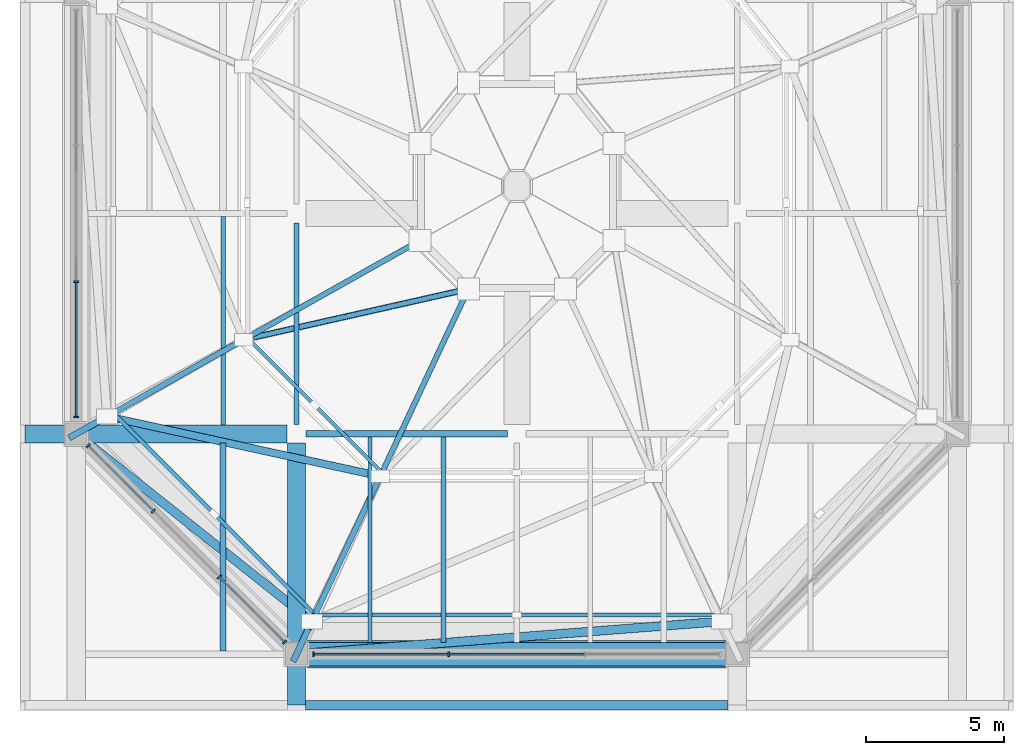
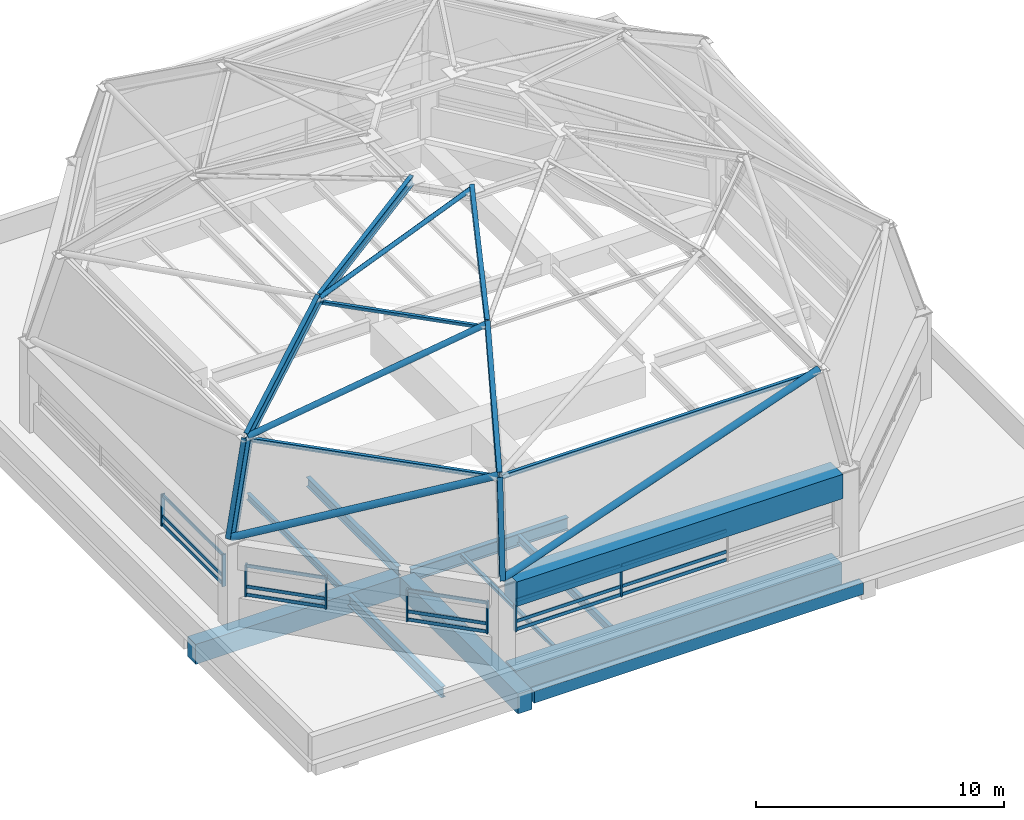
# One storey, part 2 of 10: 36 members, 11 beams, 3 elements without a shape of their own.
"""IFC4 building model written with IfcOpenShell, lengths in metres."""

from ifc_helpers import new_model, si_unit, direction, frame, origin, origin_2d, place, context, subcontext, project, spatial, rectangle, hollow_rectangle, hollow_circle, i_section, extrude, material, material_profile, profile_set, type_object, element, aggregate, save


model = new_model("IFC4")

# Units and contexts
model_context = context("Model", 3, precision=1e-05, world=origin(), true_north=direction((0.0, 1.0)))
body_context = subcontext(model_context, "Body", "Model", "MODEL_VIEW")
ifc_project = project(units=[si_unit("LENGTHUNIT", "METRE"), si_unit("AREAUNIT", "SQUARE_METRE"), si_unit("VOLUMEUNIT", "CUBIC_METRE"), si_unit("PLANEANGLEUNIT", "RADIAN"), si_unit("MASSUNIT", "GRAM", prefix="KILO")], contexts=[model_context])

# Site, building, storey
site_placement = place(None, origin())
site = spatial("IfcSite", under=ifc_project, at=site_placement, CompositionType="ELEMENT")
building_placement = place(site_placement, origin())
building = spatial("IfcBuilding", under=site, at=building_placement, Name="Pecanmere Concourse Central Library", CompositionType="ELEMENT")
storey_placement = place(building_placement, frame((0.0, 0.0, 34.800048828125)))
storey = spatial("IfcBuildingStorey", under=building, at=storey_placement, Name="ROOF", CompositionType="ELEMENT", Elevation=34.800048828125)

# Curtain wall, members
ifc_material_1 = material(Name="Anodized bronze aluminium alloy 6063-T6", Category="aluminium")
curtain_wall_type = type_object("IfcCurtainWallType", Name="CW_PORTAL_CLEAR", PredefinedType="USERDEFINED", material=ifc_material_1)
curtain_wall_1_placement = place(storey_placement, origin())
curtain_wall_1 = element("IfcCurtainWall", 1, at=curtain_wall_1_placement, inside=storey, type_object=curtain_wall_type, Name="Unitised Curtain Wall CW-03 ROOF-173", ObjectType="UNITISED CURTAIN WALL", PredefinedType="USERDEFINED")
ifc_material_2 = material(Name="Anodized bronze aluminium alloy 6063-T6", Category="aluminium")
ifc_material_profile_1 = material_profile(ifc_material_2, rectangle(XDim=0.06494140625, YDim=0.179931640625, at=origin_2d()), Name="AL 65x180")
ifc_profile_set_1 = profile_set([ifc_material_profile_1], Name="Anodized bronze aluminium alloy 6063-T6")
member_type_1 = type_object("IfcMemberType", Name="CWM_180x65", PredefinedType="MULLION", material=ifc_profile_set_1)
member_1_placement = place(storey_placement, frame((80.612548828125, 90.0, 1.419921875), z_axis=(0.0, 0.0, 1.0), x_axis=(1.0, 0.0, 0.0)))
member_1 = element("IfcMember", 2, at=member_1_placement, type_object=member_type_1, Name="CW-03 Mullion 1", PredefinedType="MULLION", context=body_context, shape_type="SweptSolid", body=[
    extrude(rectangle(XDim=0.06494140625, YDim=0.179931640625, at=origin_2d()), origin(), (0.0, 0.0, 1.0), 1.580078125),
])
member_2_placement = place(storey_placement, frame((85.526611328125, 90.0, 1.419921875), z_axis=(0.0, 0.0, 1.0), x_axis=(1.0, 0.0, 0.0)))
member_2 = element("IfcMember", 3, at=member_2_placement, type_object=member_type_1, Name="CW-03 Mullion 2", PredefinedType="MULLION", context=body_context, shape_type="SweptSolid", body=[
    extrude(rectangle(XDim=0.06494140625, YDim=0.179931640625, at=origin_2d()), origin(), (0.0, 0.0, 1.0), 1.580078125),
])

curtain_wall_2_placement = place(storey_placement, origin())
curtain_wall_2 = element("IfcCurtainWall", 4, at=curtain_wall_2_placement, inside=storey, type_object=curtain_wall_type, Name="Unitised Curtain Wall CW-03 ROOF-179", ObjectType="UNITISED CURTAIN WALL", PredefinedType="USERDEFINED")
member_3_placement = place(storey_placement, frame((72.0, 103.526611328125, 1.419921875), z_axis=(0.0, 0.0, 1.0), x_axis=(0.0, -1.0, 0.0)))
member_3 = element("IfcMember", 5, at=member_3_placement, type_object=member_type_1, Name="CW-03 Mullion 3", PredefinedType="MULLION", context=body_context, shape_type="SweptSolid", body=[
    extrude(rectangle(XDim=0.06494140625, YDim=0.179931640625, at=origin_2d()), origin(), (0.0, 0.0, 1.0), 1.580078125),
])
member_4_placement = place(storey_placement, frame((72.0, 98.612548828125, 1.419921875), z_axis=(0.0, 0.0, 1.0), x_axis=(0.0, -1.0, 0.0)))
member_4 = element("IfcMember", 6, at=member_4_placement, type_object=member_type_1, Name="CW-03 Mullion 4", PredefinedType="MULLION", context=body_context, shape_type="SweptSolid", body=[
    extrude(rectangle(XDim=0.06494140625, YDim=0.179931640625, at=origin_2d()), origin(), (0.0, 0.0, 1.0), 1.580078125),
])

curtain_wall_3_placement = place(storey_placement, origin())
curtain_wall_3 = element("IfcCurtainWall", 7, at=curtain_wall_3_placement, inside=storey, type_object=curtain_wall_type, Name="Unitised Curtain Wall CW-03 ROOF-180", ObjectType="UNITISED CURTAIN WALL", PredefinedType="USERDEFINED")
member_5_placement = place(storey_placement, frame((72.43310546875, 97.56689453125, 1.419921875), z_axis=(0.0, 0.0, 1.0), x_axis=(0.707106781187, -0.707106781187, 0.0)))
member_5 = element("IfcMember", 8, at=member_5_placement, type_object=member_type_1, Name="CW-03 Mullion 1", PredefinedType="MULLION", context=body_context, shape_type="SweptSolid", body=[
    extrude(rectangle(XDim=0.06494140625, YDim=0.179931640625, at=origin_2d()), origin(), (0.0, 0.0, 1.0), 1.580078125),
])
member_6_placement = place(storey_placement, frame((74.803466796875, 95.196533203125, 1.419921875), z_axis=(0.0, 0.0, 1.0), x_axis=(0.707106781187, -0.707106781187, 0.0)))
member_6 = element("IfcMember", 9, at=member_6_placement, type_object=member_type_1, Name="CW-03 Mullion 2", PredefinedType="MULLION", context=body_context, shape_type="SweptSolid", body=[
    extrude(rectangle(XDim=0.06494140625, YDim=0.179931640625, at=origin_2d()), origin(), (0.0, 0.0, 1.0), 1.580078125),
])
member_7_placement = place(storey_placement, frame((77.196533203125, 92.803466796875, 1.419921875), z_axis=(0.0, 0.0, 1.0), x_axis=(0.707106781187, -0.707106781187, 0.0)))
member_7 = element("IfcMember", 10, at=member_7_placement, type_object=member_type_1, Name="CW-03 Mullion 3", PredefinedType="MULLION", context=body_context, shape_type="SweptSolid", body=[
    extrude(rectangle(XDim=0.06494140625, YDim=0.179931640625, at=origin_2d()), origin(), (0.0, 0.0, 1.0), 1.580078125),
])
member_8_placement = place(storey_placement, frame((79.56689453125, 90.43310546875, 1.419921875), z_axis=(0.0, 0.0, 1.0), x_axis=(0.707106781187, -0.707106781187, 0.0)))
member_8 = element("IfcMember", 11, at=member_8_placement, type_object=member_type_1, Name="CW-03 Mullion 4", PredefinedType="MULLION", context=body_context, shape_type="SweptSolid", body=[
    extrude(rectangle(XDim=0.06494140625, YDim=0.179931640625, at=origin_2d()), origin(), (0.0, 0.0, 1.0), 1.580078125),
])

# Member
ifc_material_3 = material(Name="Anodized bronze aluminium alloy 6063-T6", Category="aluminium")
ifc_material_profile_2 = material_profile(ifc_material_3, rectangle(XDim=0.06005859375, YDim=0.159912109375, at=origin_2d()), Name="AL 60x160")
ifc_profile_set_2 = profile_set([ifc_material_profile_2], Name="Anodized bronze aluminium alloy 6063-T6")
member_type_2 = type_object("IfcMemberType", Name="CWT_160x60", PredefinedType="USERDEFINED", material=ifc_profile_set_2)
member_9_placement = place(storey_placement, frame((80.64501953125, 90.0, 1.5), z_axis=(1.0, 0.0, 0.0), x_axis=(0.0, 1.0, 0.0)))
member_9 = element("IfcMember", 12, at=member_9_placement, type_object=member_type_2, Name="CW-03 Transom 1.1", ObjectType="TRANSOM", PredefinedType="USERDEFINED", context=body_context, shape_type="SweptSolid", body=[
    extrude(rectangle(XDim=0.06005859375, YDim=0.159912109375, at=origin_2d()), origin(), (0.0, 0.0, 1.0), 4.84912109375),
])

member_10_placement = place(storey_placement, frame((80.64501953125, 90.0, 1.89990234375), z_axis=(1.0, 0.0, 0.0), x_axis=(0.0, 1.0, 0.0)))
member_10 = element("IfcMember", 13, at=member_10_placement, type_object=member_type_2, Name="CW-03 Transom 1.2", ObjectType="TRANSOM", PredefinedType="USERDEFINED", context=body_context, shape_type="SweptSolid", body=[
    extrude(rectangle(XDim=0.06005859375, YDim=0.159912109375, at=origin_2d()), origin(), (0.0, 0.0, 1.0), 4.84912109375),
])

member_11_placement = place(storey_placement, frame((80.64501953125, 90.0, 2.919921875), z_axis=(1.0, 0.0, 0.0), x_axis=(0.0, 1.0, 0.0)))
member_11 = element("IfcMember", 14, at=member_11_placement, type_object=member_type_2, Name="CW-03 Transom 1.3", ObjectType="TRANSOM", PredefinedType="USERDEFINED", context=body_context, shape_type="SweptSolid", body=[
    extrude(rectangle(XDim=0.06005859375, YDim=0.159912109375, at=origin_2d()), origin(), (0.0, 0.0, 1.0), 4.84912109375),
])

member_12_placement = place(storey_placement, frame((85.55908203125, 90.0, 1.5), z_axis=(1.0, 0.0, 0.0), x_axis=(0.0, 1.0, 0.0)))
member_12 = element("IfcMember", 15, at=member_12_placement, type_object=member_type_2, Name="CW-03 Transom 2.1", ObjectType="TRANSOM", PredefinedType="USERDEFINED", context=body_context, shape_type="SweptSolid", body=[
    extrude(rectangle(XDim=0.06005859375, YDim=0.159912109375, at=origin_2d()), origin(), (0.0, 0.0, 1.0), 4.8818359375),
])

member_13_placement = place(storey_placement, frame((85.55908203125, 90.0, 1.89990234375), z_axis=(1.0, 0.0, 0.0), x_axis=(0.0, 1.0, 0.0)))
member_13 = element("IfcMember", 16, at=member_13_placement, type_object=member_type_2, Name="CW-03 Transom 2.2", ObjectType="TRANSOM", PredefinedType="USERDEFINED", context=body_context, shape_type="SweptSolid", body=[
    extrude(rectangle(XDim=0.06005859375, YDim=0.159912109375, at=origin_2d()), origin(), (0.0, 0.0, 1.0), 4.8818359375),
])

member_14_placement = place(storey_placement, frame((85.55908203125, 90.0, 2.919921875), z_axis=(1.0, 0.0, 0.0), x_axis=(0.0, 1.0, 0.0)))
member_14 = element("IfcMember", 17, at=member_14_placement, type_object=member_type_2, Name="CW-03 Transom 2.3", ObjectType="TRANSOM", PredefinedType="USERDEFINED", context=body_context, shape_type="SweptSolid", body=[
    extrude(rectangle(XDim=0.06005859375, YDim=0.159912109375, at=origin_2d()), origin(), (0.0, 0.0, 1.0), 4.8818359375),
])

aggregate(curtain_wall_1, [member_1, member_2, member_9, member_10, member_11, member_12, member_13, member_14])

member_15_placement = place(storey_placement, frame((72.0, 103.494140625, 1.5), z_axis=(0.0, -1.0, 0.0), x_axis=(1.0, 0.0, 0.0)))
member_15 = element("IfcMember", 18, at=member_15_placement, type_object=member_type_2, Name="CW-03 Transom 3.1", ObjectType="TRANSOM", PredefinedType="USERDEFINED", context=body_context, shape_type="SweptSolid", body=[
    extrude(rectangle(XDim=0.06005859375, YDim=0.159912109375, at=origin_2d()), origin(), (0.0, 0.0, 1.0), 4.84912109375),
])

member_16_placement = place(storey_placement, frame((72.0, 103.494140625, 1.89990234375), z_axis=(0.0, -1.0, 0.0), x_axis=(1.0, 0.0, 0.0)))
member_16 = element("IfcMember", 19, at=member_16_placement, type_object=member_type_2, Name="CW-03 Transom 3.2", ObjectType="TRANSOM", PredefinedType="USERDEFINED", context=body_context, shape_type="SweptSolid", body=[
    extrude(rectangle(XDim=0.06005859375, YDim=0.159912109375, at=origin_2d()), origin(), (0.0, 0.0, 1.0), 4.84912109375),
])

member_17_placement = place(storey_placement, frame((72.0, 103.494140625, 2.919921875), z_axis=(0.0, -1.0, 0.0), x_axis=(1.0, 0.0, 0.0)))
member_17 = element("IfcMember", 20, at=member_17_placement, type_object=member_type_2, Name="CW-03 Transom 3.3", ObjectType="TRANSOM", PredefinedType="USERDEFINED", context=body_context, shape_type="SweptSolid", body=[
    extrude(rectangle(XDim=0.06005859375, YDim=0.159912109375, at=origin_2d()), origin(), (0.0, 0.0, 1.0), 4.84912109375),
])

aggregate(curtain_wall_2, [member_3, member_4, member_15, member_16, member_17])

member_18_placement = place(storey_placement, frame((72.4560546875, 97.5439453125, 1.5), z_axis=(0.707106781187, -0.707106781187, 0.0), x_axis=(0.707106781187, 0.707106781187, 0.0)))
member_18 = element("IfcMember", 21, at=member_18_placement, type_object=member_type_2, Name="CW-03 Transom 1.1", ObjectType="TRANSOM", PredefinedType="USERDEFINED", context=body_context, shape_type="SweptSolid", body=[
    extrude(rectangle(XDim=0.06005859375, YDim=0.159912109375, at=origin_2d()), origin(), (0.0, 0.0, 1.0), 3.286865234375),
])

member_19_placement = place(storey_placement, frame((72.4560546875, 97.5439453125, 1.89990234375), z_axis=(0.707106781187, -0.707106781187, 0.0), x_axis=(0.707106781187, 0.707106781187, 0.0)))
member_19 = element("IfcMember", 22, at=member_19_placement, type_object=member_type_2, Name="CW-03 Transom 1.2", ObjectType="TRANSOM", PredefinedType="USERDEFINED", context=body_context, shape_type="SweptSolid", body=[
    extrude(rectangle(XDim=0.06005859375, YDim=0.159912109375, at=origin_2d()), origin(), (0.0, 0.0, 1.0), 3.286865234375),
])

member_20_placement = place(storey_placement, frame((72.4560546875, 97.5439453125, 2.919921875), z_axis=(0.707106781187, -0.707106781187, 0.0), x_axis=(0.707106781187, 0.707106781187, 0.0)))
member_20 = element("IfcMember", 23, at=member_20_placement, type_object=member_type_2, Name="CW-03 Transom 1.3", ObjectType="TRANSOM", PredefinedType="USERDEFINED", context=body_context, shape_type="SweptSolid", body=[
    extrude(rectangle(XDim=0.06005859375, YDim=0.159912109375, at=origin_2d()), origin(), (0.0, 0.0, 1.0), 3.286865234375),
])

member_21_placement = place(storey_placement, frame((77.2197265625, 92.7802734375, 1.5), z_axis=(0.707106781187, -0.707106781187, 0.0), x_axis=(0.707106781187, 0.707106781187, 0.0)))
member_21 = element("IfcMember", 24, at=member_21_placement, type_object=member_type_2, Name="CW-03 Transom 3.1", ObjectType="TRANSOM", PredefinedType="USERDEFINED", context=body_context, shape_type="SweptSolid", body=[
    extrude(rectangle(XDim=0.06005859375, YDim=0.159912109375, at=origin_2d()), origin(), (0.0, 0.0, 1.0), 3.286865234375),
])

member_22_placement = place(storey_placement, frame((77.2197265625, 92.7802734375, 1.89990234375), z_axis=(0.707106781187, -0.707106781187, 0.0), x_axis=(0.707106781187, 0.707106781187, 0.0)))
member_22 = element("IfcMember", 25, at=member_22_placement, type_object=member_type_2, Name="CW-03 Transom 3.2", ObjectType="TRANSOM", PredefinedType="USERDEFINED", context=body_context, shape_type="SweptSolid", body=[
    extrude(rectangle(XDim=0.06005859375, YDim=0.159912109375, at=origin_2d()), origin(), (0.0, 0.0, 1.0), 3.286865234375),
])

member_23_placement = place(storey_placement, frame((77.2197265625, 92.7802734375, 2.919921875), z_axis=(0.707106781187, -0.707106781187, 0.0), x_axis=(0.707106781187, 0.707106781187, 0.0)))
member_23 = element("IfcMember", 26, at=member_23_placement, type_object=member_type_2, Name="CW-03 Transom 3.3", ObjectType="TRANSOM", PredefinedType="USERDEFINED", context=body_context, shape_type="SweptSolid", body=[
    extrude(rectangle(XDim=0.06005859375, YDim=0.159912109375, at=origin_2d()), origin(), (0.0, 0.0, 1.0), 3.286865234375),
])

aggregate(curtain_wall_3, [member_5, member_6, member_7, member_8, member_18, member_19, member_20, member_21, member_22, member_23])

# Beams
ifc_material_4 = material(Name="Concrete C40/50", Category="concrete")
ifc_material_profile_3 = material_profile(ifc_material_4, rectangle(XDim=0.659912109375, YDim=0.97998046875, at=origin_2d()), Name="RC 660x980")
ifc_profile_set_3 = profile_set([ifc_material_profile_3], Name="Concrete C40/50")
beam_type_1 = type_object("IfcBeamType", Name="GRD_660x980", PredefinedType="USERDEFINED", material=ifc_profile_set_3)
for number, where, z_axis, x_axis, name in (
    (27, (70.1484375, 98.0, -0.72998046875), (1.0, 0.0, 0.0), (0.0, 1.0, 0.0), "Primary Girder X ROOF-2858"),
    (28, (80.0, 88.1484375, -0.72998046875), (0.0, 1.0, 0.0), (-1.0, 0.0, 0.0), "Primary Girder Y ROOF-2873"),
):
    element("IfcBeam", number, at=place(storey_placement, frame(where, z_axis=z_axis, x_axis=x_axis)), inside=storey, type_object=beam_type_1, Name=name, ObjectType="GIRDER", PredefinedType="USERDEFINED", context=body_context, shape_type="SweptSolid", body=[
        extrude(rectangle(XDim=0.659912109375, YDim=0.97998046875, at=origin_2d()), origin(), (0.0, 0.0, 1.0), 9.511474609375),
    ])

# Members
ifc_material_5 = material(Name="Structural steel ASTM A500 Grade C", Category="steel")
ifc_material_profile_4 = material_profile(ifc_material_5, hollow_circle(Radius=0.162109375, WallThickness=0.0126953125, at=origin_2d()), Name="HSS323.9x12.7")
ifc_profile_set_4 = profile_set([ifc_material_profile_4], Name="Structural steel ASTM A500 Grade C")
member_type_3 = type_object("IfcMemberType", Name="MEM_BRACE_1", PredefinedType="BRACE", material=ifc_profile_set_4)
member_24_placement = place(storey_placement, frame((80.0, 90.0, 4.199951171875), z_axis=(0.96227996235, 0.074161989445, 0.261758043584), x_axis=(-0.076841169956, 0.9970433464, 0.0)))
element("IfcMember", 29, at=member_24_placement, inside=storey, type_object=member_type_3, Name="Dome Lower Wind Brace 1", PredefinedType="BRACE", context=body_context, shape_type="SweptSolid", body=[
    extrude(hollow_circle(Radius=0.162109375, WallThickness=0.0126953125, at=origin_2d()), origin(), (0.0, 0.0, 1.0), 16.045166015625),
])
member_25_placement = place(storey_placement, frame((72.0, 98.0, 4.199951171875), z_axis=(0.730559444018, -0.581205439833, 0.3584454428), x_axis=(0.622575136858, 0.782560028986, 0.0)))
element("IfcMember", 30, at=member_25_placement, inside=storey, type_object=member_type_3, Name="Dome Lower Wind Brace 8", PredefinedType="BRACE", context=body_context, shape_type="SweptSolid", body=[
    extrude(hollow_circle(Radius=0.162109375, WallThickness=0.0126953125, at=origin_2d()), origin(), (0.0, 0.0, 1.0), 11.717041015625),
])
ifc_material_6 = material(Name="Structural steel ASTM A500 Grade C", Category="steel")
ifc_material_profile_5 = material_profile(ifc_material_6, hollow_circle(Radius=0.136474609375, WallThickness=0.0126953125, at=origin_2d()), Name="HSS273.1x12.7")
ifc_profile_set_5 = profile_set([ifc_material_profile_5], Name="Structural steel ASTM A500 Grade C")
member_type_4 = type_object("IfcMemberType", Name="MEM_BRACE_2", PredefinedType="BRACE", material=ifc_profile_set_5)
member_26_placement = place(storey_placement, frame((73.1201171875, 98.6298828125, 8.39990234375), z_axis=(0.92634977471, -0.202633313586, 0.317515094319), x_axis=(0.213691142622, 0.976901272169, 0.0)))
element("IfcMember", 31, at=member_26_placement, inside=storey, type_object=member_type_4, Name="Dome Upper Wind Brace 8", PredefinedType="BRACE", context=body_context, shape_type="SweptSolid", body=[
    extrude(hollow_circle(Radius=0.136474609375, WallThickness=0.0126953125, at=origin_2d()), origin(), (0.0, 0.0, 1.0), 10.70849609375),
])
ifc_material_7 = material(Name="Structural steel ASTM A500 Grade C", Category="steel")
ifc_material_profile_6 = material_profile(ifc_material_7, hollow_circle(Radius=0.109619140625, WallThickness=0.009521484375, at=origin_2d()), Name="HSS219.1x9.5")
ifc_profile_set_6 = profile_set([ifc_material_profile_6], Name="Structural steel ASTM A500 Grade C")
member_type_5 = type_object("IfcMemberType", Name="MEM_BRACE_3", PredefinedType="BRACE", material=ifc_profile_set_6)
member_27_placement = place(storey_placement, frame((78.080078125, 101.419921875, 11.800048828125), z_axis=(0.961746587284, 0.216877121394, 0.167355358635), x_axis=(-0.219979572591, 0.975504478535, 0.0)))
element("IfcMember", 32, at=member_27_placement, inside=storey, type_object=member_type_5, Name="Dome Oculus Wind Brace 8", PredefinedType="BRACE", context=body_context, shape_type="SweptSolid", body=[
    extrude(hollow_circle(Radius=0.109619140625, WallThickness=0.009521484375, at=origin_2d()), origin(), (0.0, 0.0, 1.0), 8.484375),
])
ifc_material_8 = material(Name="Structural steel ASTM A992 Grade 50", Category="steel")
ifc_material_profile_7 = material_profile(ifc_material_8, i_section(OverallWidth=0.22998046875, OverallDepth=0.616943359375, WebThickness=0.01318359375, FlangeThickness=0.022216796875, at=origin_2d()), Name="W610x140")
ifc_profile_set_7 = profile_set([ifc_material_profile_7], Name="Structural steel ASTM A992 Grade 50")
member_type_6 = type_object("IfcMemberType", Name="MEM_DOME_RIB_1", PredefinedType="USERDEFINED", material=ifc_profile_set_7)
member_28_placement = place(storey_placement, frame((80.0, 90.0, 4.199951171875), z_axis=(0.127255758582, 0.270376882009, 0.954307242759), x_axis=(-0.904793458222, 0.425850675659, 0.0)))
element("IfcMember", 33, at=member_28_placement, inside=storey, type_object=member_type_6, Name="Octagonal Dome Arch Rib 1 Tier 1", ObjectType="ARCH_SEGMENT", PredefinedType="USERDEFINED", context=body_context, shape_type="SweptSolid", body=[
    extrude(i_section(OverallWidth=0.22998046875, OverallDepth=0.616943359375, WebThickness=0.01318359375, FlangeThickness=0.022216796875, at=origin_2d()), origin(), (0.0, 0.0, 1.0), 4.401123046875),
])
member_29_placement = place(storey_placement, frame((72.0, 98.0, 4.199951171875), z_axis=(0.255026926905, 0.143410957153, 0.956239804611), x_axis=(-0.490152996973, 0.871636414773, 0.0)))
element("IfcMember", 34, at=member_29_placement, inside=storey, type_object=member_type_6, Name="Octagonal Dome Arch Rib 8 Tier 1", ObjectType="ARCH_SEGMENT", PredefinedType="USERDEFINED", context=body_context, shape_type="SweptSolid", body=[
    extrude(i_section(OverallWidth=0.22998046875, OverallDepth=0.616943359375, WebThickness=0.01318359375, FlangeThickness=0.022216796875, at=origin_2d()), origin(), (0.0, 0.0, 1.0), 4.39208984375),
])
ifc_material_9 = material(Name="Structural steel ASTM A992 Grade 50", Category="steel")
ifc_material_profile_8 = material_profile(ifc_material_9, i_section(OverallWidth=0.2109375, OverallDepth=0.5390625, WebThickness=0.01171875, FlangeThickness=0.018798828125, at=origin_2d()), Name="W530x109")
ifc_profile_set_8 = profile_set([ifc_material_profile_8], Name="Structural steel ASTM A992 Grade 50")
member_type_7 = type_object("IfcMemberType", Name="MEM_DOME_RIB_2", PredefinedType="USERDEFINED", material=ifc_profile_set_8)
member_30_placement = place(storey_placement, frame((80.56005859375, 91.18994140625, 8.39990234375), z_axis=(0.367719788027, 0.781413599563, 0.504157657793), x_axis=(-0.904820602113, 0.425792998993, 0.0)))
element("IfcMember", 35, at=member_30_placement, inside=storey, type_object=member_type_7, Name="Octagonal Dome Arch Rib 1 Tier 2", ObjectType="ARCH_SEGMENT", PredefinedType="USERDEFINED", context=body_context, shape_type="SweptSolid", body=[
    extrude(i_section(OverallWidth=0.2109375, OverallDepth=0.5390625, WebThickness=0.01171875, FlangeThickness=0.018798828125, at=origin_2d()), origin(), (0.0, 0.0, 1.0), 6.744140625),
])
member_31_placement = place(storey_placement, frame((73.1201171875, 98.6298828125, 8.39990234375), z_axis=(0.748197027611, 0.420870035023, 0.512903130712), x_axis=(-0.490269386928, 0.871570954221, 0.0)))
element("IfcMember", 36, at=member_31_placement, inside=storey, type_object=member_type_7, Name="Octagonal Dome Arch Rib 8 Tier 2", ObjectType="ARCH_SEGMENT", PredefinedType="USERDEFINED", context=body_context, shape_type="SweptSolid", body=[
    extrude(i_section(OverallWidth=0.2109375, OverallDepth=0.5390625, WebThickness=0.01171875, FlangeThickness=0.018798828125, at=origin_2d()), origin(), (0.0, 0.0, 1.0), 6.629150390625),
])
ifc_material_10 = material(Name="Structural steel ASTM A992 Grade 50", Category="steel")
ifc_material_profile_9 = material_profile(ifc_material_10, i_section(OverallWidth=0.194091796875, OverallDepth=0.468994140625, WebThickness=0.0126953125, FlangeThickness=0.0205078125, at=origin_2d()), Name="W460x106")
ifc_profile_set_9 = profile_set([ifc_material_profile_9], Name="Structural steel ASTM A992 Grade 50")
member_type_8 = type_object("IfcMemberType", Name="MEM_DOME_RIB_3", PredefinedType="USERDEFINED", material=ifc_profile_set_9)
member_32_placement = place(storey_placement, frame((83.0400390625, 96.4599609375, 11.800048828125), z_axis=(0.418387114144, 0.889092568112, 0.185651900195), x_axis=(-0.904822383259, 0.425789213994, 0.0)))
element("IfcMember", 37, at=member_32_placement, inside=storey, type_object=member_type_8, Name="Octagonal Dome Arch Rib 1 Tier 3", ObjectType="ARCH_SEGMENT", PredefinedType="USERDEFINED", context=body_context, shape_type="SweptSolid", body=[
    extrude(i_section(OverallWidth=0.194091796875, OverallDepth=0.468994140625, WebThickness=0.0126953125, FlangeThickness=0.0205078125, at=origin_2d()), origin(), (0.0, 0.0, 1.0), 7.648193359375),
])
member_33_placement = place(storey_placement, frame((78.080078125, 101.419921875, 11.800048828125), z_axis=(0.855714862753, 0.481360012442, 0.18985418638), x_axis=(-0.490277025018, 0.871566657657, 0.0)))
element("IfcMember", 38, at=member_33_placement, inside=storey, type_object=member_type_8, Name="Octagonal Dome Arch Rib 8 Tier 3", ObjectType="ARCH_SEGMENT", PredefinedType="USERDEFINED", context=body_context, shape_type="SweptSolid", body=[
    extrude(i_section(OverallWidth=0.194091796875, OverallDepth=0.468994140625, WebThickness=0.0126953125, FlangeThickness=0.0205078125, at=origin_2d()), origin(), (0.0, 0.0, 1.0), 7.47900390625),
])
ifc_material_11 = material(Name="Structural steel ASTM A500 Grade C", Category="steel")
ifc_material_profile_10 = material_profile(ifc_material_11, hollow_rectangle(XDim=0.152099609375, YDim=0.202880859375, WallThickness=0.009521484375, at=origin_2d()), Name="HSS203x152x9.5")
ifc_profile_set_10 = profile_set([ifc_material_profile_10], Name="Structural steel ASTM A500 Grade C")
member_type_9 = type_object("IfcMemberType", Name="MEM_PURLIN_1", PredefinedType="PURLIN", material=ifc_profile_set_10)
member_34_placement = place(storey_placement, frame((80.672119140625, 91.427978515625, 8.099853515625), z_axis=(1.0, 0.0, 0.0), x_axis=(0.0, 1.0, 0.0)))
element("IfcMember", 39, at=member_34_placement, inside=storey, type_object=member_type_9, Name="Dome Octagonal Purlin Ring 1.1", PredefinedType="PURLIN", context=body_context, shape_type="SweptSolid", body=[
    extrude(hollow_rectangle(XDim=0.152099609375, YDim=0.202880859375, WallThickness=0.009521484375, at=origin_2d()), origin(), (0.0, 0.0, 1.0), 14.65576171875),
])
member_35_placement = place(storey_placement, frame((73.343994140625, 98.756103515625, 8.099853515625), z_axis=(0.707106781187, -0.707106781187, 0.0), x_axis=(0.707106781187, 0.707106781187, 0.0)))
element("IfcMember", 40, at=member_35_placement, inside=storey, type_object=member_type_9, Name="Dome Octagonal Purlin Ring 1.8", PredefinedType="PURLIN", context=body_context, shape_type="SweptSolid", body=[
    extrude(hollow_rectangle(XDim=0.152099609375, YDim=0.202880859375, WallThickness=0.009521484375, at=origin_2d()), origin(), (0.0, 0.0, 1.0), 10.363525390625),
])
ifc_material_12 = material(Name="Structural steel ASTM A500 Grade C", Category="steel")
ifc_material_profile_11 = material_profile(ifc_material_12, hollow_rectangle(XDim=0.152099609375, YDim=0.152099609375, WallThickness=0.008056640625, at=origin_2d()), Name="HSS152x152x8.0")
ifc_profile_set_11 = profile_set([ifc_material_profile_11], Name="Structural steel ASTM A500 Grade C")
member_type_10 = type_object("IfcMemberType", Name="MEM_PURLIN_4", PredefinedType="PURLIN", material=ifc_profile_set_11)
member_36_placement = place(storey_placement, frame((78.2080078125, 101.491943359375, 11.5), z_axis=(0.707106781187, -0.707106781187, 0.0), x_axis=(0.707106781187, 0.707106781187, 0.0)))
element("IfcMember", 41, at=member_36_placement, inside=storey, type_object=member_type_10, Name="Dome Octagonal Purlin Ring 2.8", PredefinedType="PURLIN", context=body_context, shape_type="SweptSolid", body=[
    extrude(hollow_rectangle(XDim=0.152099609375, YDim=0.152099609375, WallThickness=0.008056640625, at=origin_2d()), origin(), (0.0, 0.0, 1.0), 6.924072265625),
])

# Beams
ifc_material_13 = material(Name="Concrete C40/50", Category="concrete")
ifc_material_profile_12 = material_profile(ifc_material_13, rectangle(XDim=1.0, YDim=1.199951171875, at=origin_2d()), Name="RC 1000x1200")
ifc_profile_set_12 = profile_set([ifc_material_profile_12], Name="Concrete C40/50")
beam_type_2 = type_object("IfcBeamType", Name="RB_1000x1200", PredefinedType="BEAM", material=ifc_profile_set_12)
beam_1_placement = place(storey_placement, frame((80.39990234375, 90.0, 3.599853515625), z_axis=(1.0, 0.0, 0.0), x_axis=(0.0, 1.0, 0.0)))
element("IfcBeam", 42, at=beam_1_placement, inside=storey, type_object=beam_type_2, Name="Dome Tension Ring Beam Segment 1", PredefinedType="BEAM", context=body_context, shape_type="SweptSolid", body=[
    extrude(rectangle(XDim=1.0, YDim=1.199951171875, at=origin_2d()), origin(), (0.0, 0.0, 1.0), 15.2001953125),
])
ifc_material_14 = material(Name="Concrete C40/50", Category="concrete")
ifc_material_profile_13 = material_profile(ifc_material_14, rectangle(XDim=0.85009765625, YDim=1.10009765625, at=origin_2d()), Name="RC 850x1100")
ifc_profile_set_13 = profile_set([ifc_material_profile_13], Name="Concrete C40/50")
beam_type_3 = type_object("IfcBeamType", Name="RB_850x1100", PredefinedType="BEAM", material=ifc_profile_set_13)
beam_2_placement = place(storey_placement, frame((80.39990234375, 90.0, -0.7900390625), z_axis=(1.0, 0.0, 0.0), x_axis=(0.0, 1.0, 0.0)))
element("IfcBeam", 43, at=beam_2_placement, inside=storey, type_object=beam_type_3, Name="Drum Base Ring Girder Segment 1", PredefinedType="BEAM", context=body_context, shape_type="SweptSolid", body=[
    extrude(rectangle(XDim=0.85009765625, YDim=1.10009765625, at=origin_2d()), origin(), (0.0, 0.0, 1.0), 15.2001953125),
])
ifc_material_15 = material(Name="Structural steel ASTM A992 Grade 50", Category="steel")
ifc_material_profile_14 = material_profile(ifc_material_15, i_section(OverallWidth=0.152099609375, OverallDepth=0.152099609375, WebThickness=0.005859375, FlangeThickness=0.006591796875, at=origin_2d()), Name="W150x22.5")
ifc_profile_set_14 = profile_set([ifc_material_profile_14], Name="Structural steel ASTM A992 Grade 50")
beam_type_4 = type_object("IfcBeamType", Name="SBM_W150x22", PredefinedType="LINTEL", material=ifc_profile_set_14)
beam_3_placement = place(storey_placement, frame((82.666748046875, 90.425048828125, -0.316162109375), z_axis=(0.0, 1.0, 0.0), x_axis=(-1.0, 0.0, 0.0)))
element("IfcBeam", 44, at=beam_3_placement, inside=storey, type_object=beam_type_4, Name="Secondary Floor Joist ROOF-2903", PredefinedType="LINTEL", context=body_context, shape_type="SweptSolid", body=[
    extrude(i_section(OverallWidth=0.152099609375, OverallDepth=0.152099609375, WebThickness=0.005859375, FlangeThickness=0.006591796875, at=origin_2d()), origin(), (0.0, 0.0, 1.0), 7.4599609375),
])
ifc_material_16 = material(Name="Structural steel ASTM A992 Grade 50", Category="steel")
ifc_material_profile_15 = material_profile(ifc_material_16, i_section(OverallWidth=0.1669921875, OverallDepth=0.31689453125, WebThickness=0.007568359375, FlangeThickness=0.01318359375, at=origin_2d()), Name="W310x52")
ifc_profile_set_15 = profile_set([ifc_material_profile_15], Name="Structural steel ASTM A992 Grade 50")
beam_type_5 = type_object("IfcBeamType", Name="SBM_W310x52", PredefinedType="JOIST", material=ifc_profile_set_15)
beam_4_placement = place(storey_placement, frame((77.333251953125, 98.330078125, -0.3984375), z_axis=(0.0, 1.0, 0.0), x_axis=(-1.0, 0.0, 0.0)))
element("IfcBeam", 45, at=beam_4_placement, inside=storey, type_object=beam_type_5, Name="Secondary Floor Joist ROOF-2899", PredefinedType="JOIST", context=body_context, shape_type="SweptSolid", body=[
    extrude(i_section(OverallWidth=0.1669921875, OverallDepth=0.31689453125, WebThickness=0.007568359375, FlangeThickness=0.01318359375, at=origin_2d()), origin(), (0.0, 0.0, 1.0), 7.554931640625),
])
ifc_material_17 = material(Name="Structural steel ASTM A992 Grade 50", Category="steel")
ifc_material_profile_16 = material_profile(ifc_material_17, i_section(OverallWidth=0.177978515625, OverallDepth=0.406982421875, WebThickness=0.0078125, FlangeThickness=0.0126953125, at=origin_2d()), Name="W410x60")
ifc_profile_set_16 = profile_set([ifc_material_profile_16], Name="Structural steel ASTM A992 Grade 50")
beam_type_6 = type_object("IfcBeamType", Name="SBM_W410x60", PredefinedType="JOIST", material=ifc_profile_set_16)
beam_5_placement = place(storey_placement, frame((85.333251953125, 90.425048828125, -0.443603515625), z_axis=(0.0, 1.0, 0.0), x_axis=(-1.0, 0.0, 0.0)))
element("IfcBeam", 46, at=beam_5_placement, inside=storey, type_object=beam_type_6, Name="Secondary Floor Joist ROOF-2904", PredefinedType="JOIST", context=body_context, shape_type="SweptSolid", body=[
    extrude(i_section(OverallWidth=0.177978515625, OverallDepth=0.406982421875, WebThickness=0.0078125, FlangeThickness=0.0126953125, at=origin_2d()), origin(), (0.0, 0.0, 1.0), 7.4599609375),
])
ifc_material_18 = material(Name="Structural steel ASTM A992 Grade 50", Category="steel")
ifc_material_profile_17 = material_profile(ifc_material_18, i_section(OverallWidth=0.194091796875, OverallDepth=0.468994140625, WebThickness=0.0126953125, FlangeThickness=0.0205078125, at=origin_2d()), Name="W460x106")
ifc_profile_set_17 = profile_set([ifc_material_profile_17], Name="Structural steel ASTM A992 Grade 50")
beam_type_7 = type_object("IfcBeamType", Name="SBM_W460x106", PredefinedType="USERDEFINED", material=ifc_profile_set_17)
beam_6_placement = place(storey_placement, frame((80.0, 98.340087890625, -0.474609375), z_axis=(0.0, 1.0, 0.0), x_axis=(-1.0, 0.0, 0.0)))
element("IfcBeam", 47, at=beam_6_placement, inside=storey, type_object=beam_type_7, Name="Primary Girder Y ROOF-2874", ObjectType="GIRDER", PredefinedType="USERDEFINED", context=body_context, shape_type="SweptSolid", body=[
    extrude(i_section(OverallWidth=0.194091796875, OverallDepth=0.468994140625, WebThickness=0.0126953125, FlangeThickness=0.0205078125, at=origin_2d()), origin(), (0.0, 0.0, 1.0), 7.31982421875),
])
ifc_material_19 = material(Name="Structural steel ASTM A992 Grade 50", Category="steel")
ifc_material_profile_18 = material_profile(ifc_material_19, i_section(OverallWidth=0.2109375, OverallDepth=0.5390625, WebThickness=0.01171875, FlangeThickness=0.018798828125, at=origin_2d()), Name="W530x109")
ifc_profile_set_18 = profile_set([ifc_material_profile_18], Name="Structural steel ASTM A992 Grade 50")
beam_type_8 = type_object("IfcBeamType", Name="SBM_W530x109", PredefinedType="USERDEFINED", material=ifc_profile_set_18)
beam_7_placement = place(storey_placement, frame((77.333251953125, 90.114990234375, -0.509521484375), z_axis=(0.0, 1.0, 0.0), x_axis=(-1.0, 0.0, 0.0)))
element("IfcBeam", 48, at=beam_7_placement, inside=storey, type_object=beam_type_8, Name="Secondary Floor Joist ROOF-2898", ObjectType="GIRDER", PredefinedType="USERDEFINED", context=body_context, shape_type="SweptSolid", body=[
    extrude(i_section(OverallWidth=0.2109375, OverallDepth=0.5390625, WebThickness=0.01171875, FlangeThickness=0.018798828125, at=origin_2d()), origin(), (0.0, 0.0, 1.0), 7.554931640625),
])
ifc_material_20 = material(Name="Structural steel ASTM A992 Grade 50", Category="steel")
ifc_material_profile_19 = material_profile(ifc_material_20, i_section(OverallWidth=0.22998046875, OverallDepth=0.616943359375, WebThickness=0.01318359375, FlangeThickness=0.022216796875, at=origin_2d()), Name="W610x140")
ifc_profile_set_19 = profile_set([ifc_material_profile_19], Name="Structural steel ASTM A992 Grade 50")
beam_type_9 = type_object("IfcBeamType", Name="SBM_W610x140", PredefinedType="USERDEFINED", material=ifc_profile_set_19)
beam_8_placement = place(storey_placement, frame((80.340087890625, 98.0, -0.548583984375), z_axis=(1.0, 0.0, 0.0), x_axis=(0.0, 1.0, 0.0)))
element("IfcBeam", 49, at=beam_8_placement, inside=storey, type_object=beam_type_9, Name="Primary Girder X ROOF-2859", ObjectType="GIRDER", PredefinedType="USERDEFINED", context=body_context, shape_type="SweptSolid", body=[
    extrude(i_section(OverallWidth=0.22998046875, OverallDepth=0.616943359375, WebThickness=0.01318359375, FlangeThickness=0.022216796875, at=origin_2d()), origin(), (0.0, 0.0, 1.0), 7.31982421875),
])
ifc_material_21 = material(Name="Concrete C40/50", Category="concrete")
ifc_material_profile_20 = material_profile(ifc_material_21, rectangle(XDim=0.340087890625, YDim=0.580078125, at=origin_2d()), Name="RC 340x580")
ifc_profile_set_20 = profile_set([ifc_material_profile_20], Name="Concrete C40/50")
beam_type_10 = type_object("IfcBeamType", Name="SPB_340x580", PredefinedType="BEAM", material=ifc_profile_set_20)
beam_9_placement = place(storey_placement, frame((80.330078125, 88.1484375, -0.530029296875), z_axis=(1.0, 0.0, 0.0), x_axis=(0.0, 1.0, 0.0)))
element("IfcBeam", 50, at=beam_9_placement, inside=storey, type_object=beam_type_10, Name="Leaning Facade Edge Beam ROOF-2887", PredefinedType="BEAM", context=body_context, shape_type="SweptSolid", body=[
    extrude(rectangle(XDim=0.340087890625, YDim=0.580078125, at=origin_2d()), origin(), (0.0, 0.0, 1.0), 15.33984375),
])

save(model, "model.ifc")
